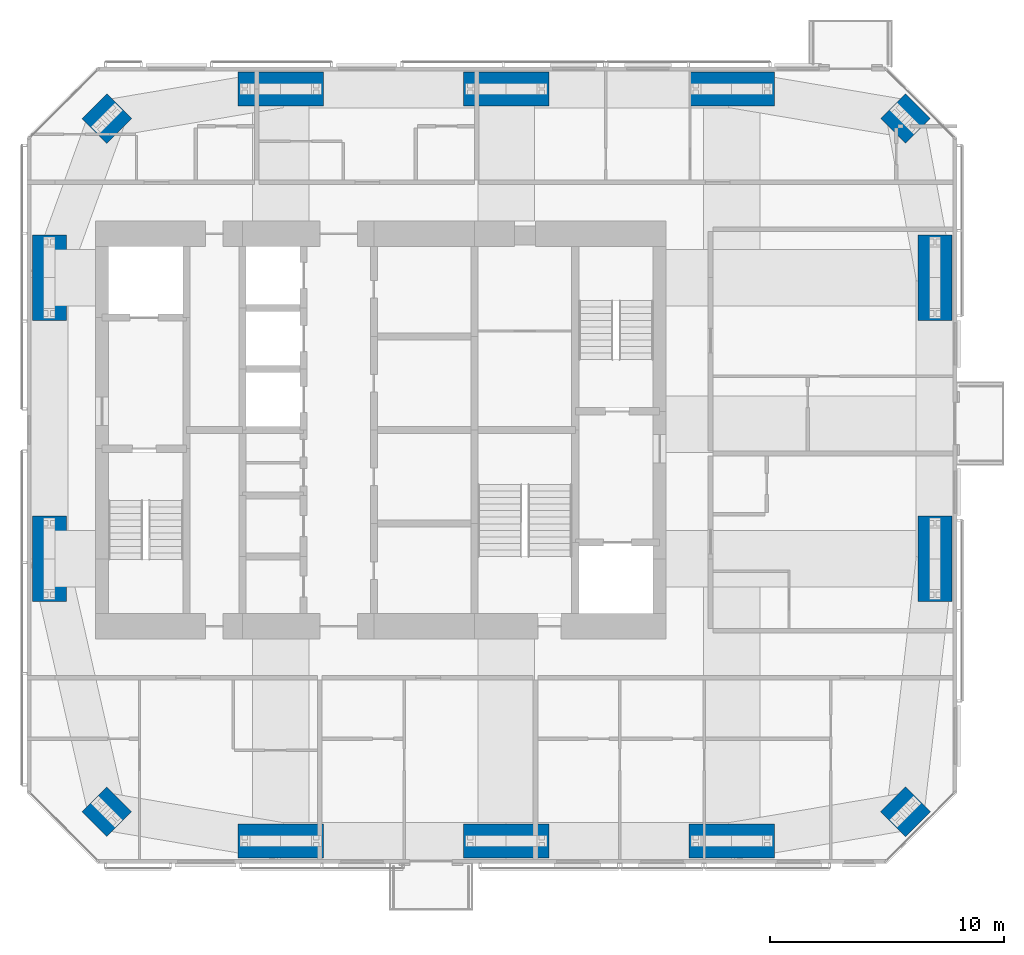
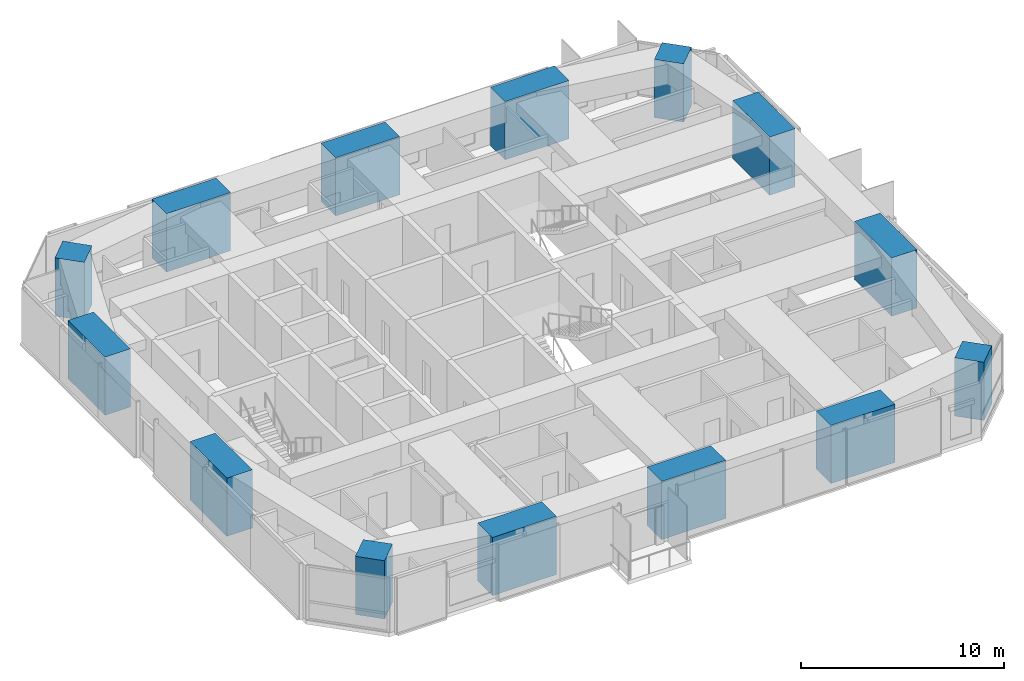
# One storey, part 1 of 18: 14 columns.
"""IFC4 building model written with IfcOpenShell, lengths in metres."""

from ifc_helpers import new_model, si_unit, direction, frame, origin, origin_2d, place, context, subcontext, project, spatial, rectangle, extrude, material, material_profile, profile_set, type_object, element, save


model = new_model("IFC4")

# Units and contexts
model_context = context("Model", 3, precision=1e-05, world=origin(), true_north=direction((0.0, 1.0)))
body_context = subcontext(model_context, "Body", "Model", "MODEL_VIEW")
ifc_project = project(units=[si_unit("LENGTHUNIT", "METRE"), si_unit("AREAUNIT", "SQUARE_METRE"), si_unit("VOLUMEUNIT", "CUBIC_METRE"), si_unit("PLANEANGLEUNIT", "RADIAN"), si_unit("MASSUNIT", "GRAM", prefix="KILO")], contexts=[model_context])

# Site, building, storey
site_placement = place(None, origin())
site = spatial("IfcSite", under=ifc_project, at=site_placement, CompositionType="ELEMENT")
building_placement = place(site_placement, origin())
building = spatial("IfcBuilding", under=site, at=building_placement, Name="Jalousie Tower", CompositionType="ELEMENT")
storey_placement = place(building_placement, frame((0.0, 0.0, 228.449951171875)))
storey = spatial("IfcBuildingStorey", under=building, at=storey_placement, Name="L62", CompositionType="ELEMENT", Elevation=228.449951171875)

# Columns
ifc_material_1 = material(Name="Concrete f'c 120 MPa", Category="concrete")
ifc_material_profile_1 = material_profile(ifc_material_1, rectangle(XDim=1.449951171875, YDim=3.64990234375, at=origin_2d()), Name="RC 1450x3650")
ifc_profile_set_1 = profile_set([ifc_material_profile_1], Name="Concrete f'c 120 MPa")
column_type_1 = type_object("IfcColumnType", Name="RC COLUMN 1450x3650", PredefinedType="COLUMN", material=ifc_profile_set_1)
for number, where, z_axis, x_axis, name in (
    (1, (27.625, 0.949951171875, 0.0), (0.0, 0.0, 1.0), (0.0, 1.0, 0.0), "Column 02 L62"),
    (2, (37.25, 0.949951171875, 0.0), (0.0, 0.0, 1.0), (0.0, 1.0, 0.0), "Column 03 L62"),
    (3, (46.875, 0.949951171875, 0.0), (0.0, 0.0, 1.0), (0.0, 1.0, 0.0), "Column 04 L62"),
    (4, (55.550048828125, 13.0, 0.0), (0.0, 0.0, 1.0), (1.0, 0.0, 0.0), "Column 06 L62"),
    (5, (55.550048828125, 25.0, 0.0), (0.0, 0.0, 1.0), (1.0, 0.0, 0.0), "Column 07 L62"),
    (6, (46.875, 33.050048828125, 0.0), (0.0, 0.0, 1.0), (0.0, 1.0, 0.0), "Column 09 L62"),
    (7, (37.25, 33.050048828125, 0.0), (0.0, 0.0, 1.0), (0.0, 1.0, 0.0), "Column 10 L62"),
    (8, (27.625, 33.050048828125, 0.0), (0.0, 0.0, 1.0), (0.0, 1.0, 0.0), "Column 11 L62"),
    (9, (17.75, 25.0, 0.0), (0.0, 0.0, 1.0), (1.0, 0.0, 0.0), "Column 13 L62"),
    (10, (17.75, 13.0, 0.0), (0.0, 0.0, 1.0), (1.0, 0.0, 0.0), "Column 14 L62"),
):
    element("IfcColumn", number, at=place(storey_placement, frame(where, z_axis=z_axis, x_axis=x_axis)), inside=storey, type_object=column_type_1, Name=name, PredefinedType="COLUMN", context=body_context, shape_type="SweptSolid", body=[
        extrude(rectangle(XDim=1.449951171875, YDim=3.64990234375, at=origin_2d()), origin(), (0.0, 0.0, 1.0), 3.5),
    ])
ifc_material_2 = material(Name="Concrete f'c 120 MPa", Category="concrete")
ifc_material_profile_2 = material_profile(ifc_material_2, rectangle(XDim=1.5, YDim=1.5, at=origin_2d()), Name="RC 1500x1500")
ifc_profile_set_2 = profile_set([ifc_material_profile_2], Name="Concrete f'c 120 MPa")
column_type_2 = type_object("IfcColumnType", Name="RC COLUMN 1500x1500", PredefinedType="COLUMN", material=ifc_profile_set_2)
for number, where, z_axis, x_axis, name in (
    (11, (20.20703125, 2.20703125, 0.0), (0.0, 0.0, 1.0), (0.707106781187, 0.707106781187, 0.0), "Column 01 L62"),
    (12, (54.29296875, 2.20703125, 0.0), (0.0, 0.0, 1.0), (0.707106781187, 0.707106781187, 0.0), "Column 05 L62"),
    (13, (54.29296875, 31.79296875, 0.0), (0.0, 0.0, 1.0), (0.707106781187, 0.707106781187, 0.0), "Column 08 L62"),
    (14, (20.20703125, 31.79296875, 0.0), (0.0, 0.0, 1.0), (0.707106781187, 0.707106781187, 0.0), "Column 12 L62"),
):
    element("IfcColumn", number, at=place(storey_placement, frame(where, z_axis=z_axis, x_axis=x_axis)), inside=storey, type_object=column_type_2, Name=name, PredefinedType="COLUMN", context=body_context, shape_type="SweptSolid", body=[
        extrude(rectangle(XDim=1.5, YDim=1.5, at=origin_2d()), origin(), (0.0, 0.0, 1.0), 3.5),
    ])

save(model, "model.ifc")
